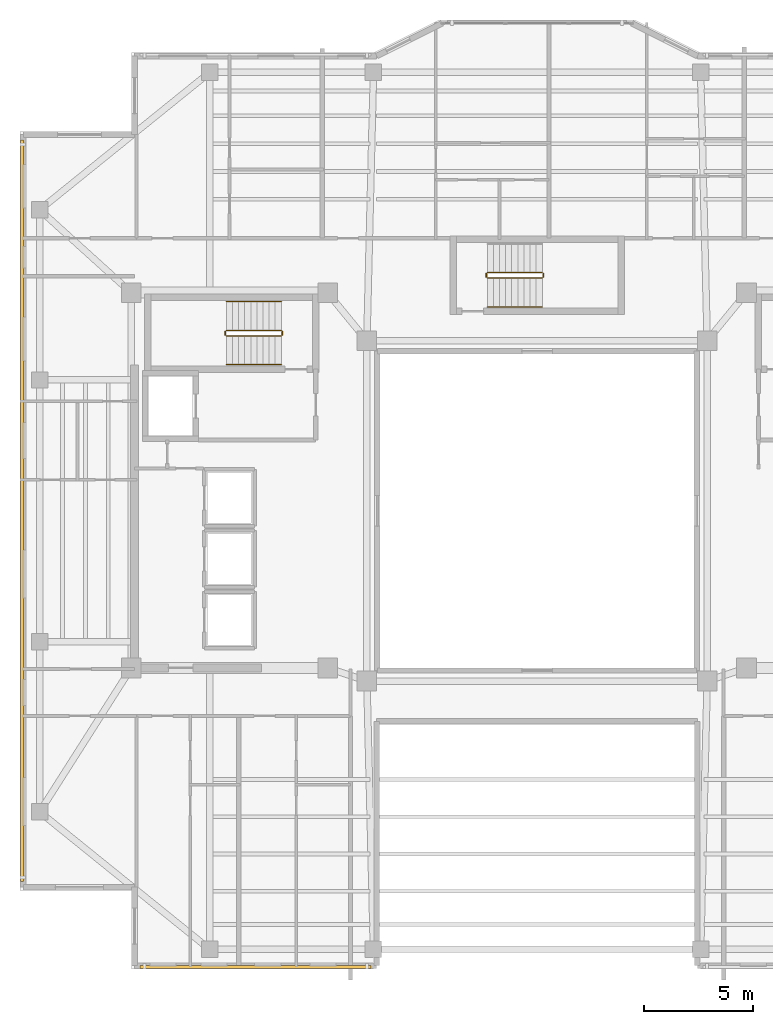
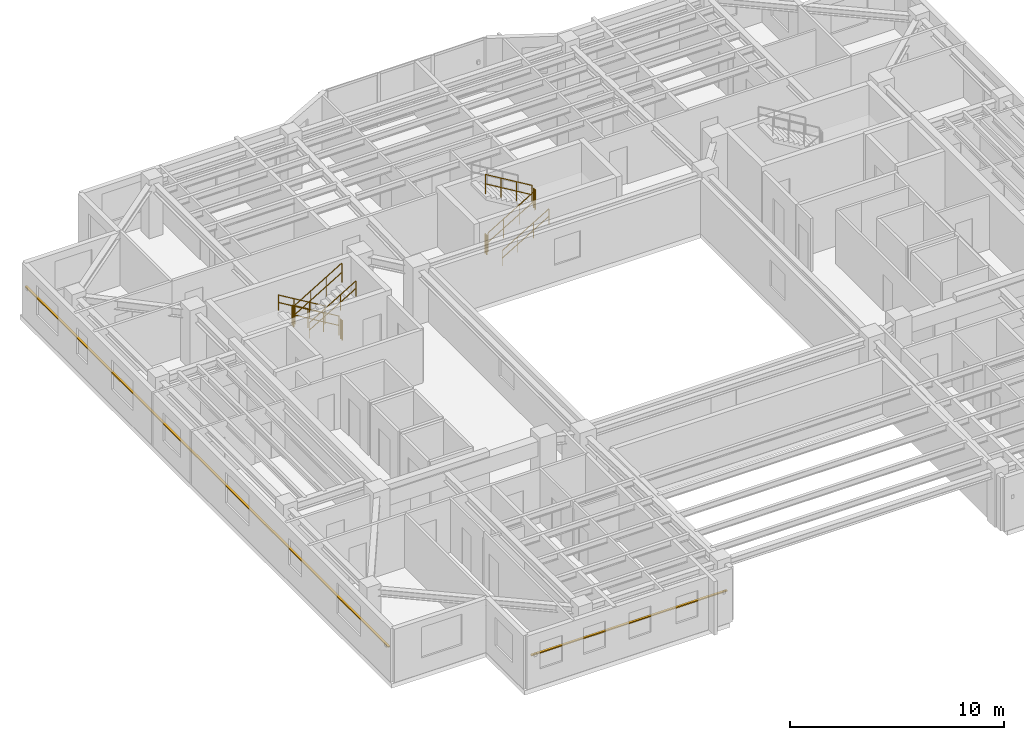
# One storey, part 11 of 13: 11 railings, 2 shading devices.
"""IFC4 building model written with IfcOpenShell, lengths in metres."""

from ifc_helpers import new_model, si_unit, direction, frame, origin, origin_2d, place, context, subcontext, project, spatial, rectangle, circle, extrude, material, material_profile, profile_set, type_object, element, save


model = new_model("IFC4")

# Units and contexts
model_context = context("Model", 3, precision=1e-05, world=origin(), true_north=direction((0.0, 1.0)))
body_context = subcontext(model_context, "Body", "Model", "MODEL_VIEW")
ifc_project = project(units=[si_unit("LENGTHUNIT", "METRE"), si_unit("AREAUNIT", "SQUARE_METRE"), si_unit("VOLUMEUNIT", "CUBIC_METRE"), si_unit("PLANEANGLEUNIT", "RADIAN"), si_unit("MASSUNIT", "GRAM", prefix="KILO")], contexts=[model_context])

# Site, building, storey
site_placement = place(None, origin())
site = spatial("IfcSite", under=ifc_project, at=site_placement, CompositionType="ELEMENT")
building_placement = place(site_placement, origin())
building = spatial("IfcBuilding", under=site, at=building_placement, Name="Tarnavaz Court Tower", CompositionType="ELEMENT")
storey_placement = place(building_placement, frame((0.0, 0.0, 223.75)))
storey = spatial("IfcBuildingStorey", under=building, at=storey_placement, Name="L61", CompositionType="ELEMENT", Elevation=223.75)

# Railings
ifc_material_1 = material(Name="Brushed Stainless Steel", Category="steel")
railing_type_1 = type_object("IfcRailingType", Name="RL-HANDRAIL-900", PredefinedType="HANDRAIL", material=ifc_material_1)
railing_1_placement = place(storey_placement, frame((-11.719970703125, 9.590087890625, 0.16748046875)))
element("IfcRailing", 1, at=railing_1_placement, inside=storey, type_object=railing_type_1, Name="L61 ST-W1 stair handrail 1", PredefinedType="HANDRAIL", context=body_context, shape_type="SweptSolid", body=[
    extrude(circle(Radius=0.02392578125, at=origin_2d()), frame((0.0, 0.0, 0.8759765625), z_axis=(-0.858159760407, 0.0, 0.513382728203), x_axis=(0.0, -1.0, 0.0)), (0.0, 0.0, 1.0), 2.9365234375),
    extrude(circle(Radius=0.02392578125, at=origin_2d()), frame((0.0, 0.0, 0.449951171875), z_axis=(-0.858159760407, 0.0, 0.513382728203), x_axis=(0.0, -1.0, 0.0)), (0.0, 0.0, 1.0), 2.9365234375),
    extrude(circle(Radius=0.02099609375, at=origin_2d()), origin(), (0.0, 0.0, 1.0), 0.851806640625),
    extrude(circle(Radius=0.02099609375, at=origin_2d()), frame((-0.840087890625, 0.0, 0.50244140625)), (0.0, 0.0, 1.0), 0.851806640625),
    extrude(circle(Radius=0.02099609375, at=origin_2d()), frame((-1.679931640625, 0.0, 1.005126953125)), (0.0, 0.0, 1.0), 0.851806640625),
    extrude(circle(Radius=0.02099609375, at=origin_2d()), frame((-2.52001953125, 0.0, 1.507568359375)), (0.0, 0.0, 1.0), 0.851806640625),
])
for number, where, name in (
    (2, (-14.239990234375, 6.699951171875, 1.842529296875), "L61 ST-W1 stair handrail 2"),
    (3, (-2.280029296875, 9.35009765625, 0.16748046875), "L61 ST-N1 stair handrail 1"),
):
    element("IfcRailing", number, at=place(storey_placement, frame(where)), inside=storey, type_object=railing_type_1, Name=name, PredefinedType="HANDRAIL", context=body_context, shape_type="SweptSolid", body=[
        extrude(circle(Radius=0.02392578125, at=origin_2d()), frame((0.0, 0.0, 0.8759765625), z_axis=(0.858159760407, 0.0, 0.513382728203), x_axis=(0.0, 1.0, 0.0)), (0.0, 0.0, 1.0), 2.9365234375),
        extrude(circle(Radius=0.02392578125, at=origin_2d()), frame((0.0, 0.0, 0.449951171875), z_axis=(0.858159760407, 0.0, 0.513382728203), x_axis=(0.0, 1.0, 0.0)), (0.0, 0.0, 1.0), 2.9365234375),
        extrude(circle(Radius=0.02099609375, at=origin_2d()), origin(), (0.0, 0.0, 1.0), 0.851806640625),
        extrude(circle(Radius=0.02099609375, at=origin_2d()), frame((0.840087890625, 0.0, 0.50244140625)), (0.0, 0.0, 1.0), 0.851806640625),
        extrude(circle(Radius=0.02099609375, at=origin_2d()), frame((1.679931640625, 0.0, 1.005126953125)), (0.0, 0.0, 1.0), 0.851806640625),
        extrude(circle(Radius=0.02099609375, at=origin_2d()), frame((2.52001953125, 0.0, 1.507568359375)), (0.0, 0.0, 1.0), 0.851806640625),
    ])
ifc_material_2 = material(Name="Galvanized Painted Tubular Steel", Category="steel")
railing_type_2 = type_object("IfcRailingType", Name="RL-STGUARD-1120", PredefinedType="GUARDRAIL", material=ifc_material_2)
railing_2_placement = place(storey_placement, frame((-11.719970703125, 8.27001953125, 0.16748046875)))
element("IfcRailing", 4, at=railing_2_placement, inside=storey, type_object=railing_type_2, Name="L61 ST-W1 stair guard 1", PredefinedType="GUARDRAIL", context=body_context, shape_type="SweptSolid", body=[
    extrude(circle(Radius=0.02392578125, at=origin_2d()), frame((0.0, 0.0, 1.09619140625), z_axis=(-0.858159760407, 0.0, 0.513382728203), x_axis=(0.0, -1.0, 0.0)), (0.0, 0.0, 1.0), 2.9365234375),
    extrude(circle(Radius=0.02392578125, at=origin_2d()), frame((0.0, 0.0, 0.56005859375), z_axis=(-0.858159760407, 0.0, 0.513382728203), x_axis=(0.0, -1.0, 0.0)), (0.0, 0.0, 1.0), 2.9365234375),
    extrude(circle(Radius=0.02099609375, at=origin_2d()), origin(), (0.0, 0.0, 1.0), 1.072021484375),
    extrude(circle(Radius=0.02099609375, at=origin_2d()), frame((-0.840087890625, 0.0, 0.50244140625)), (0.0, 0.0, 1.0), 1.072021484375),
    extrude(circle(Radius=0.02099609375, at=origin_2d()), frame((-1.679931640625, 0.0, 1.005126953125)), (0.0, 0.0, 1.0), 1.072021484375),
    extrude(circle(Radius=0.02099609375, at=origin_2d()), frame((-2.52001953125, 0.0, 1.507568359375)), (0.0, 0.0, 1.0), 1.072021484375),
])
railing_3_placement = place(storey_placement, frame((-14.2900390625, 8.219970703125, 1.675048828125)))
element("IfcRailing", 5, at=railing_3_placement, inside=storey, type_object=railing_type_2, Name="L61 ST-W1 stair guard 2", PredefinedType="GUARDRAIL", context=body_context, shape_type="SweptSolid", body=[
    extrude(circle(Radius=0.02392578125, at=origin_2d()), frame((0.0, 0.0, 1.09619140625), z_axis=(0.0, -1.0, 0.0), x_axis=(1.0, 0.0, 0.0)), (0.0, 0.0, 1.0), 0.14990234375),
    extrude(circle(Radius=0.02392578125, at=origin_2d()), frame((0.0, 0.0, 0.56005859375), z_axis=(0.0, -1.0, 0.0), x_axis=(1.0, 0.0, 0.0)), (0.0, 0.0, 1.0), 0.14990234375),
    extrude(circle(Radius=0.02099609375, at=origin_2d()), origin(), (0.0, 0.0, 1.0), 1.072021484375),
    extrude(circle(Radius=0.02099609375, at=origin_2d()), frame((0.0, -0.14990234375, 0.0)), (0.0, 0.0, 1.0), 1.072021484375),
])
railing_4_placement = place(storey_placement, frame((-14.239990234375, 8.02001953125, 1.842529296875)))
element("IfcRailing", 6, at=railing_4_placement, inside=storey, type_object=railing_type_2, Name="L61 ST-W1 stair guard 3", PredefinedType="GUARDRAIL", context=body_context, shape_type="SweptSolid", body=[
    extrude(circle(Radius=0.02392578125, at=origin_2d()), frame((0.0, 0.0, 1.09619140625), z_axis=(0.858159760407, 0.0, 0.513382728203), x_axis=(0.0, 1.0, 0.0)), (0.0, 0.0, 1.0), 2.9365234375),
    extrude(circle(Radius=0.02392578125, at=origin_2d()), frame((0.0, 0.0, 0.56005859375), z_axis=(0.858159760407, 0.0, 0.513382728203), x_axis=(0.0, 1.0, 0.0)), (0.0, 0.0, 1.0), 2.9365234375),
    extrude(circle(Radius=0.02099609375, at=origin_2d()), origin(), (0.0, 0.0, 1.0), 1.072021484375),
    extrude(circle(Radius=0.02099609375, at=origin_2d()), frame((0.840087890625, 0.0, 0.50244140625)), (0.0, 0.0, 1.0), 1.072021484375),
    extrude(circle(Radius=0.02099609375, at=origin_2d()), frame((1.679931640625, 0.0, 1.005126953125)), (0.0, 0.0, 1.0), 1.072021484375),
    extrude(circle(Radius=0.02099609375, at=origin_2d()), frame((2.52001953125, 0.0, 1.507568359375)), (0.0, 0.0, 1.0), 1.072021484375),
])
railing_5_placement = place(storey_placement, frame((-11.669921875, 8.219970703125, 0.0)))
element("IfcRailing", 7, at=railing_5_placement, inside=storey, type_object=railing_type_2, Name="L61 ST-W1 stair guard 4", PredefinedType="GUARDRAIL", context=body_context, shape_type="SweptSolid", body=[
    extrude(circle(Radius=0.02392578125, at=origin_2d()), frame((0.0, 0.0, 1.09619140625), z_axis=(0.0, -1.0, 0.0), x_axis=(1.0, 0.0, 0.0)), (0.0, 0.0, 1.0), 0.14990234375),
    extrude(circle(Radius=0.02392578125, at=origin_2d()), frame((0.0, 0.0, 0.56005859375), z_axis=(0.0, -1.0, 0.0), x_axis=(1.0, 0.0, 0.0)), (0.0, 0.0, 1.0), 0.14990234375),
    extrude(circle(Radius=0.02099609375, at=origin_2d()), origin(), (0.0, 0.0, 1.0), 1.072021484375),
    extrude(circle(Radius=0.02099609375, at=origin_2d()), frame((0.0, -0.14990234375, 0.0)), (0.0, 0.0, 1.0), 1.072021484375),
])
railing_6_placement = place(storey_placement, frame((-2.280029296875, 10.669921875, 0.16748046875)))
element("IfcRailing", 8, at=railing_6_placement, inside=storey, type_object=railing_type_2, Name="L61 ST-N1 stair guard 1", PredefinedType="GUARDRAIL", context=body_context, shape_type="SweptSolid", body=[
    extrude(circle(Radius=0.02392578125, at=origin_2d()), frame((0.0, 0.0, 1.09619140625), z_axis=(0.858159760407, 0.0, 0.513382728203), x_axis=(0.0, 1.0, 0.0)), (0.0, 0.0, 1.0), 2.9365234375),
    extrude(circle(Radius=0.02392578125, at=origin_2d()), frame((0.0, 0.0, 0.56005859375), z_axis=(0.858159760407, 0.0, 0.513382728203), x_axis=(0.0, 1.0, 0.0)), (0.0, 0.0, 1.0), 2.9365234375),
    extrude(circle(Radius=0.02099609375, at=origin_2d()), origin(), (0.0, 0.0, 1.0), 1.072021484375),
    extrude(circle(Radius=0.02099609375, at=origin_2d()), frame((0.840087890625, 0.0, 0.50244140625)), (0.0, 0.0, 1.0), 1.072021484375),
    extrude(circle(Radius=0.02099609375, at=origin_2d()), frame((1.679931640625, 0.0, 1.005126953125)), (0.0, 0.0, 1.0), 1.072021484375),
    extrude(circle(Radius=0.02099609375, at=origin_2d()), frame((2.52001953125, 0.0, 1.507568359375)), (0.0, 0.0, 1.0), 1.072021484375),
])
railing_7_placement = place(storey_placement, frame((0.2900390625, 10.719970703125, 1.675048828125)))
element("IfcRailing", 9, at=railing_7_placement, inside=storey, type_object=railing_type_2, Name="L61 ST-N1 stair guard 2", PredefinedType="GUARDRAIL", context=body_context, shape_type="SweptSolid", body=[
    extrude(circle(Radius=0.02392578125, at=origin_2d()), frame((0.0, 0.0, 1.09619140625), z_axis=(0.0, 1.0, 0.0), x_axis=(-1.0, 0.0, 0.0)), (0.0, 0.0, 1.0), 0.150146484375),
    extrude(circle(Radius=0.02392578125, at=origin_2d()), frame((0.0, 0.0, 0.56005859375), z_axis=(0.0, 1.0, 0.0), x_axis=(-1.0, 0.0, 0.0)), (0.0, 0.0, 1.0), 0.150146484375),
    extrude(circle(Radius=0.02099609375, at=origin_2d()), origin(), (0.0, 0.0, 1.0), 1.072021484375),
    extrude(circle(Radius=0.02099609375, at=origin_2d()), frame((0.0, 0.150146484375, 0.0)), (0.0, 0.0, 1.0), 1.072021484375),
])
railing_8_placement = place(storey_placement, frame((0.239990234375, 10.919921875, 1.842529296875)))
element("IfcRailing", 10, at=railing_8_placement, inside=storey, type_object=railing_type_2, Name="L61 ST-N1 stair guard 3", PredefinedType="GUARDRAIL", context=body_context, shape_type="SweptSolid", body=[
    extrude(circle(Radius=0.02392578125, at=origin_2d()), frame((0.0, 0.0, 1.09619140625), z_axis=(-0.858159760407, 0.0, 0.513382728203), x_axis=(0.0, -1.0, 0.0)), (0.0, 0.0, 1.0), 2.9365234375),
    extrude(circle(Radius=0.02392578125, at=origin_2d()), frame((0.0, 0.0, 0.56005859375), z_axis=(-0.858159760407, 0.0, 0.513382728203), x_axis=(0.0, -1.0, 0.0)), (0.0, 0.0, 1.0), 2.9365234375),
    extrude(circle(Radius=0.02099609375, at=origin_2d()), origin(), (0.0, 0.0, 1.0), 1.072021484375),
    extrude(circle(Radius=0.02099609375, at=origin_2d()), frame((-0.840087890625, 0.0, 0.50244140625)), (0.0, 0.0, 1.0), 1.072021484375),
    extrude(circle(Radius=0.02099609375, at=origin_2d()), frame((-1.679931640625, 0.0, 1.005126953125)), (0.0, 0.0, 1.0), 1.072021484375),
    extrude(circle(Radius=0.02099609375, at=origin_2d()), frame((-2.52001953125, 0.0, 1.507568359375)), (0.0, 0.0, 1.0), 1.072021484375),
])
railing_9_placement = place(storey_placement, frame((-2.330078125, 10.719970703125, 0.0)))
element("IfcRailing", 11, at=railing_9_placement, inside=storey, type_object=railing_type_2, Name="L61 ST-N1 stair guard 4", PredefinedType="GUARDRAIL", context=body_context, shape_type="SweptSolid", body=[
    extrude(circle(Radius=0.02392578125, at=origin_2d()), frame((0.0, 0.0, 1.09619140625), z_axis=(0.0, 1.0, 0.0), x_axis=(-1.0, 0.0, 0.0)), (0.0, 0.0, 1.0), 0.150146484375),
    extrude(circle(Radius=0.02392578125, at=origin_2d()), frame((0.0, 0.0, 0.56005859375), z_axis=(0.0, 1.0, 0.0), x_axis=(-1.0, 0.0, 0.0)), (0.0, 0.0, 1.0), 0.150146484375),
    extrude(circle(Radius=0.02099609375, at=origin_2d()), origin(), (0.0, 0.0, 1.0), 1.072021484375),
    extrude(circle(Radius=0.02099609375, at=origin_2d()), frame((0.0, 0.150146484375, 0.0)), (0.0, 0.0, 1.0), 1.072021484375),
])

# Shading devices
ifc_material_3 = material(Name="Kiln-Fired Khorasan Terracotta Ceramic", Category="masonry")
ifc_material_profile = material_profile(ifc_material_3, rectangle(XDim=0.1201171875, YDim=0.06005859375, at=origin_2d()), Name="TC BAGUETTE 120X60")
ifc_profile_set = profile_set([ifc_material_profile], Name="Kiln-Fired Khorasan Terracotta Ceramic")
shading_device_type = type_object("IfcShadingDeviceType", Name="SD-BAG-120", PredefinedType="USERDEFINED", material=ifc_profile_set)
shading_device_1_placement = place(storey_placement, frame((-23.610107421875, -17.0, 1.85009765625), z_axis=(0.0, 1.0, 0.0), x_axis=(-1.0, 0.0, 0.0)))
element("IfcShadingDevice", 12, at=shading_device_1_placement, inside=storey, type_object=shading_device_type, Name="L61 Terracotta Baguette Screen FBG02", ObjectType="BAGUETTE", PredefinedType="USERDEFINED", context=body_context, shape_type="SweptSolid", body=[
    extrude(rectangle(XDim=0.1201171875, YDim=0.06005859375, at=origin_2d()), origin(), (0.0, 0.0, 1.0), 34.0),
])
shading_device_2_placement = place(storey_placement, frame((-7.60009765625, -20.909912109375, 1.85009765625), z_axis=(-1.0, 0.0, 0.0), x_axis=(0.0, -1.0, 0.0)))
element("IfcShadingDevice", 13, at=shading_device_2_placement, inside=storey, type_object=shading_device_type, Name="L61 Terracotta Baguette Screen FBG19", ObjectType="BAGUETTE", PredefinedType="USERDEFINED", context=body_context, shape_type="SweptSolid", body=[
    extrude(rectangle(XDim=0.1201171875, YDim=0.06005859375, at=origin_2d()), origin(), (0.0, 0.0, 1.0), 10.599853515625),
])

save(model, "model.ifc")
